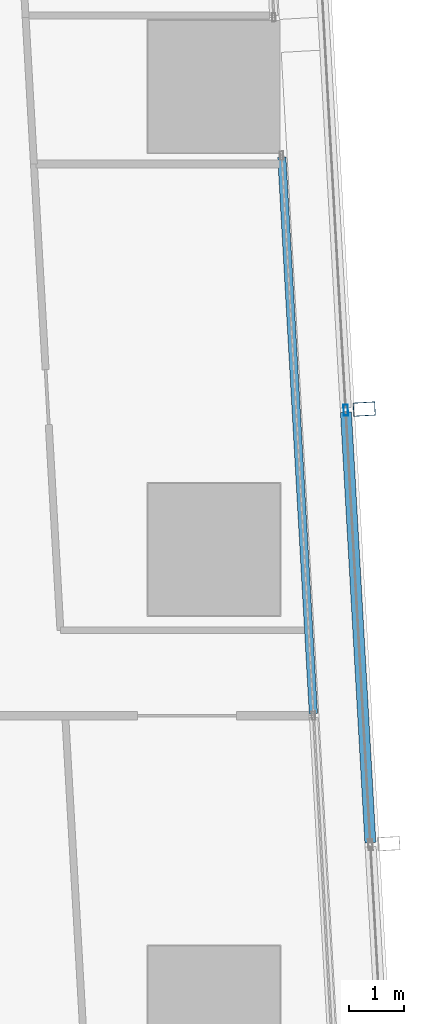
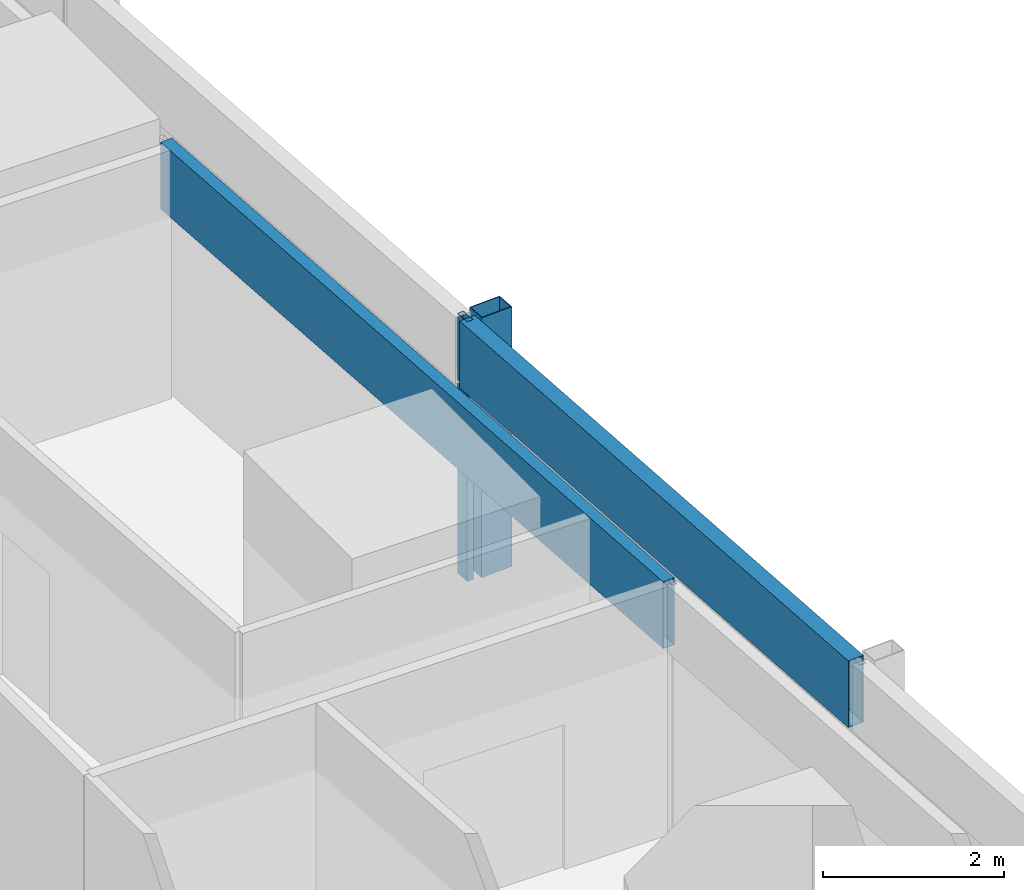
# One storey, part 13 of 37: 4 members, 2 elements without a shape of their own.
"""IFC4 building model written with IfcOpenShell, lengths in metres."""

from ifc_helpers import new_model, si_unit, direction, frame, origin, origin_2d, place, context, subcontext, project, spatial, hollow_rectangle, extrude, material, material_profile, profile_set, type_object, element, aggregate, save


model = new_model("IFC4")

# Units and contexts
model_context = context("Model", 3, precision=1e-05, world=origin(), true_north=direction((0.0, 1.0)))
body_context = subcontext(model_context, "Body", "Model", "MODEL_VIEW")
ifc_project = project(units=[si_unit("LENGTHUNIT", "METRE"), si_unit("AREAUNIT", "SQUARE_METRE"), si_unit("VOLUMEUNIT", "CUBIC_METRE"), si_unit("PLANEANGLEUNIT", "RADIAN"), si_unit("MASSUNIT", "GRAM", prefix="KILO")], contexts=[model_context])

# Site, building, storey
site_placement = place(None, origin())
site = spatial("IfcSite", under=ifc_project, at=site_placement, CompositionType="ELEMENT")
building_placement = place(site_placement, origin())
building = spatial("IfcBuilding", under=site, at=building_placement, Name="Rekha Terrace Tower", CompositionType="ELEMENT")
storey_placement = place(building_placement, frame((0.0, 0.0, 228.949951171875)))
storey = spatial("IfcBuildingStorey", under=building, at=storey_placement, Name="L58", CompositionType="ELEMENT", Elevation=228.949951171875)

# Curtain wall, member
ifc_material_1 = material(Name="Aluminium framing", Category="aluminium")
curtain_wall_type_1 = type_object("IfcCurtainWallType", Name="CW2 double skin outer glazing", PredefinedType="USERDEFINED", material=ifc_material_1)
curtain_wall_1_placement = place(storey_placement, origin())
curtain_wall_1 = element("IfcCurtainWall", 1, at=curtain_wall_1_placement, inside=storey, type_object=curtain_wall_type_1, Name="CW2 double skin outer glazing", ObjectType="DOUBLE SKIN OUTER GLAZING", PredefinedType="USERDEFINED")
ifc_material_2 = material(Name="Steel S355 with fluorocarbon finish", Category="steel")
ifc_material_profile_1 = material_profile(ifc_material_2, hollow_rectangle(XDim=0.25, YDim=0.39990234375, WallThickness=0.012451171875, at=origin_2d()), Name="RHS400x250x12.5")
ifc_profile_set_1 = profile_set([ifc_material_profile_1], Name="Steel S355 with fluorocarbon finish")
member_type_1 = type_object("IfcMemberType", Name="BL1 facade blade RHS 400 x 250", PredefinedType="USERDEFINED", material=ifc_profile_set_1)
member_1_placement = place(storey_placement, frame((61.528076171875, 44.546630859375, 0.0), z_axis=(0.0, 0.0, 1.0), x_axis=(-0.056673619809, 0.998392758797, 0.0)))
member_1 = element("IfcMember", 2, at=member_1_placement, type_object=member_type_1, Name="Facade blade", ObjectType="FACADE BLADE", PredefinedType="USERDEFINED", context=body_context, shape_type="SweptSolid", body=[
    extrude(hollow_rectangle(XDim=0.25, YDim=0.39990234375, WallThickness=0.012451171875, at=origin_2d()), origin(), (0.0, 0.0, 1.0), 3.5),
])

curtain_wall_type_2 = type_object("IfcCurtainWallType", Name="CW1 double skin inner glazing", PredefinedType="USERDEFINED", material=ifc_material_1)
curtain_wall_2_placement = place(storey_placement, origin())
curtain_wall_2 = element("IfcCurtainWall", 3, at=curtain_wall_2_placement, inside=storey, type_object=curtain_wall_type_2, Name="CW1 double skin inner glazing", ObjectType="DOUBLE SKIN INNER GLAZING", PredefinedType="USERDEFINED")
ifc_material_3 = material(Name="Insulated aluminium spandrel box", Category="aluminium")
ifc_material_profile_2 = material_profile(ifc_material_3, hollow_rectangle(XDim=0.14990234375, YDim=0.89990234375, WallThickness=0.0029296875, at=origin_2d()), Name="AL SPANDREL BOX 150x900")
ifc_profile_set_2 = profile_set([ifc_material_profile_2], Name="Insulated aluminium spandrel box")
member_type_2 = type_object("IfcMemberType", Name="CW1 spandrel transom 150 x 900", PredefinedType="USERDEFINED", material=ifc_profile_set_2)
member_2_placement = place(storey_placement, frame((60.605224609375, 39.01318359375, 3.050048828125), z_axis=(-0.056669850498, 0.998392972754, 0.0), x_axis=(-0.998392972754, -0.056669850498, 0.0)))
member_2 = element("IfcMember", 4, at=member_2_placement, type_object=member_type_2, Name="CW1 spandrel transom 2", ObjectType="TRANSOM", PredefinedType="USERDEFINED", context=body_context, shape_type="SweptSolid", body=[
    extrude(hollow_rectangle(XDim=0.14990234375, YDim=0.89990234375, WallThickness=0.0029296875, at=origin_2d()), origin(), (0.0, 0.0, 1.0), 10.119873046875),
])
aggregate(curtain_wall_2, [member_2])

# Member
ifc_material_4 = material(Name="Aluminium mullion section", Category="aluminium")
ifc_material_profile_3 = material_profile(ifc_material_4, hollow_rectangle(XDim=0.080078125, YDim=0.199951171875, WallThickness=0.00390625, at=origin_2d()), Name="AL RHS 80x200")
ifc_profile_set_3 = profile_set([ifc_material_profile_3], Name="Aluminium mullion section")
member_type_3 = type_object("IfcMemberType", Name="CW2 mullion RHS 80 x 200", PredefinedType="MULLION", material=ifc_profile_set_3)
member_3_placement = place(storey_placement, frame((61.193603515625, 44.527587890625, 0.0), z_axis=(0.0, 0.0, 1.0), x_axis=(-0.998392782919, -0.05667319486, 0.0)))
member_3 = element("IfcMember", 5, at=member_3_placement, type_object=member_type_3, Name="CW2 mullion 3", PredefinedType="MULLION", context=body_context, shape_type="SweptSolid", body=[
    extrude(hollow_rectangle(XDim=0.080078125, YDim=0.199951171875, WallThickness=0.00390625, at=origin_2d()), origin(), (0.0, 0.0, 1.0), 3.5),
])

ifc_material_profile_4 = material_profile(ifc_material_3, hollow_rectangle(XDim=0.199951171875, YDim=0.89990234375, WallThickness=0.0029296875, at=origin_2d()), Name="AL SPANDREL BOX 200x900")
ifc_profile_set_4 = profile_set([ifc_material_profile_4], Name="Insulated aluminium spandrel box")
member_type_4 = type_object("IfcMemberType", Name="CW2 spandrel transom 200 x 900", PredefinedType="USERDEFINED", material=ifc_profile_set_4)
member_4_placement = place(storey_placement, frame((61.63916015625, 36.6767578125, 3.050048828125), z_axis=(-0.056669428082, 0.998392996731, 0.0), x_axis=(-0.998392996731, -0.056669428082, 0.0)))
member_4 = element("IfcMember", 6, at=member_4_placement, type_object=member_type_4, Name="CW2 spandrel transom 2", ObjectType="TRANSOM", PredefinedType="USERDEFINED", context=body_context, shape_type="SweptSolid", body=[
    extrude(hollow_rectangle(XDim=0.199951171875, YDim=0.89990234375, WallThickness=0.0029296875, at=origin_2d()), origin(), (0.0, 0.0, 1.0), 7.823486328125),
])

aggregate(curtain_wall_1, [member_3, member_4, member_1])

save(model, "model.ifc")
